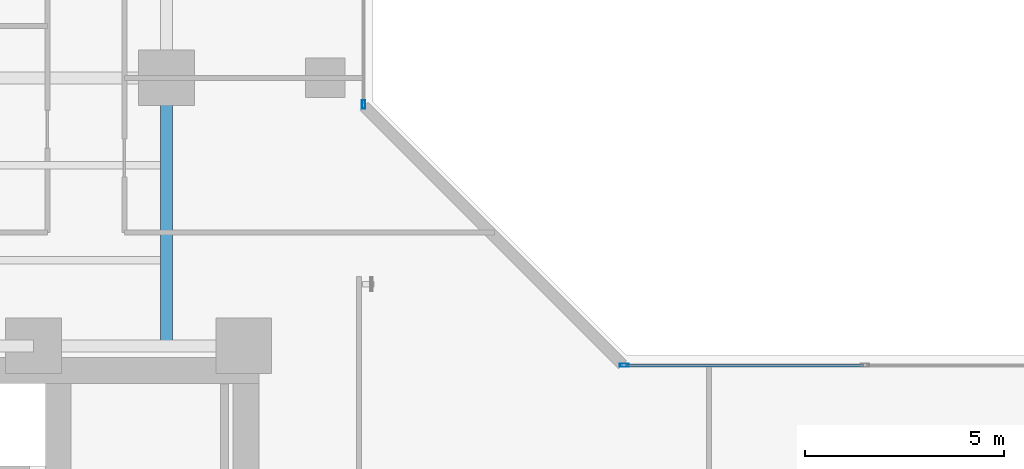
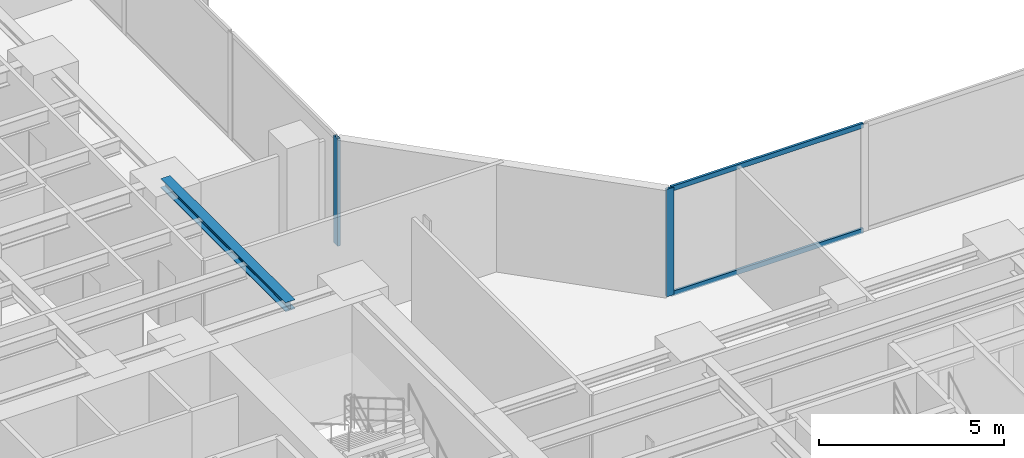
# One storey, part 10 of 26: 4 members, 1 beam, 2 elements without a shape of their own.
"""IFC4 building model written with IfcOpenShell, lengths in metres."""

from ifc_helpers import new_model, si_unit, direction, frame, origin, origin_with_axes, origin_2d, place, context, subcontext, project, spatial, hollow_rectangle, i_section, extrude, source, transform, mapped, material, layer, layer_set, material_profile, profile_set, type_object, element, aggregate, save


model = new_model("IFC4")

# Units and contexts
model_context = context("Model", 3, precision=1e-05, world=origin(), true_north=direction((0.0, 1.0)))
body_context = subcontext(model_context, "Body", "Model", "MODEL_VIEW")
ifc_project = project(units=[si_unit("LENGTHUNIT", "METRE"), si_unit("AREAUNIT", "SQUARE_METRE"), si_unit("VOLUMEUNIT", "CUBIC_METRE"), si_unit("PLANEANGLEUNIT", "RADIAN"), si_unit("MASSUNIT", "GRAM", prefix="KILO")], contexts=[model_context])

# Site, building, storey
site_placement = place(None, origin())
site = spatial("IfcSite", under=ifc_project, at=site_placement, CompositionType="ELEMENT")
building_placement = place(site_placement, origin())
building = spatial("IfcBuilding", under=site, at=building_placement, Name="Kolvaren Waterfront Exchange", CompositionType="ELEMENT")
storey_placement = place(building_placement, frame((0.0, 0.0, 99.300048828125)))
storey = spatial("IfcBuildingStorey", under=building, at=storey_placement, Name="L25", CompositionType="ELEMENT", Elevation=99.300048828125)

# Beam
ifc_material_1 = material(Name="Steel S355", Category="steel")
ifc_material_profile_1 = material_profile(ifc_material_1, i_section(OverallWidth=0.300048828125, OverallDepth=0.300048828125, WebThickness=0.010986328125, FlangeThickness=0.01904296875, FilletRadius=0.027099609375, at=origin_2d()), Name="HEB300")
ifc_profile_set_1 = profile_set([ifc_material_profile_1], Name="Steel S355")
beam_type = type_object("IfcBeamType", Name="STR-BM-HEB300", PredefinedType="SPANDREL", material=ifc_profile_set_1)
beam_placement = place(storey_placement, frame((18.800048828125, 24.449951171875, 3.389892578125), z_axis=(0.0, 1.0, 0.0), x_axis=(-1.0, 0.0, 0.0)))
element("IfcBeam", 1, at=beam_placement, inside=storey, type_object=beam_type, Name="L25 north-arm edge beam 1", PredefinedType="SPANDREL", context=body_context, shape_type="SweptSolid", body=[
    extrude(i_section(OverallWidth=0.300048828125, OverallDepth=0.300048828125, WebThickness=0.010986328125, FlangeThickness=0.01904296875, FilletRadius=0.027099609375, at=origin_2d()), origin(), (0.0, 0.0, 1.0), 6.75),
])

# Curtain wall, member
ifc_material_2 = material(Name="Anodised bronze aluminium 6063-T6", Category="aluminium")
ifc_layer = layer(ifc_material_2, 0.219970703125, Name="Anodised bronze aluminium 6063-T6")
ifc_layer_set = layer_set([ifc_layer], Name="Anodised bronze aluminium 6063-T6")
curtain_wall_type = type_object("IfcCurtainWallType", Name="ARC-CW-SYS1", PredefinedType="USERDEFINED", material=ifc_layer_set)
curtain_wall_1_placement = place(storey_placement, origin())
curtain_wall_1 = element("IfcCurtainWall", 2, at=curtain_wall_1_placement, inside=storey, type_object=curtain_wall_type, Name="L25 stick curtain wall CW1 (CW-L25-NE)", ObjectType="STICK CURTAIN WALL", PredefinedType="USERDEFINED")
ifc_material_3 = material(Name="Anodised aluminium 6063-T6", Category="aluminium")
ifc_material_profile_2 = material_profile(ifc_material_3, hollow_rectangle(XDim=0.080078125, YDim=0.219970703125, WallThickness=0.0048828125, at=origin_2d()), Name="ALU-MUL-220x80x5")
ifc_profile_set_2 = profile_set([ifc_material_profile_2], Name="Anodised aluminium 6063-T6")
member_type_1 = type_object("IfcMemberType", Name="ARC-CWM-220", PredefinedType="MULLION", material=ifc_profile_set_2)
shared_shape_1 = source(origin_with_axes(), body_context, "Body", "SweptSolid", [
    extrude(hollow_rectangle(XDim=0.080078125, YDim=0.219970703125, WallThickness=0.0048828125, at=origin_2d()), origin(), (0.0, 0.0, 1.0), 3.5400390625),
])
member_1_placement = place(storey_placement, frame((23.760009765625, 30.530029296875, 0.0), z_axis=(0.0, 0.0, 1.0), x_axis=(-1.0, 0.0, 0.0)))
member_1 = element("IfcMember", 3, at=member_1_placement, type_object=member_type_1, Name="CW1 mullion 1", PredefinedType="MULLION", context=body_context, shape_type="MappedRepresentation", body=[
    mapped(shared_shape_1, transform((0.0, 0.0, 0.0), x_axis=(1.0, 0.0, 0.0), y_axis=(0.0, 1.0, 0.0), z_axis=(0.0, 0.0, 1.0), scale=1.0)),
])
aggregate(curtain_wall_1, [member_1])

# Curtain wall, members
curtain_wall_2_placement = place(storey_placement, origin())
curtain_wall_2 = element("IfcCurtainWall", 4, at=curtain_wall_2_placement, inside=storey, type_object=curtain_wall_type, Name="L25 stick curtain wall CW1 (CW-L25-EN)", ObjectType="STICK CURTAIN WALL", PredefinedType="USERDEFINED")
member_2_placement = place(storey_placement, frame((30.330078125, 23.9599609375, 0.0), z_axis=(0.0, 0.0, 1.0), x_axis=(0.0, 1.0, 0.0)))
member_2 = element("IfcMember", 5, at=member_2_placement, type_object=member_type_1, Name="CW1 mullion 1", PredefinedType="MULLION", context=body_context, shape_type="MappedRepresentation", body=[
    mapped(shared_shape_1, transform((0.0, 0.0, 0.0), x_axis=(1.0, 0.0, 0.0), y_axis=(0.0, 1.0, 0.0), z_axis=(0.0, 0.0, 1.0), scale=1.0)),
])
ifc_material_profile_3 = material_profile(ifc_material_3, hollow_rectangle(XDim=0.074951171875, YDim=0.159912109375, WallThickness=0.00439453125, at=origin_2d()), Name="ALU-TRN-160x75x4.5")
ifc_profile_set_3 = profile_set([ifc_material_profile_3], Name="Anodised aluminium 6063-T6")
member_type_2 = type_object("IfcMemberType", Name="ARC-CWT-160", PredefinedType="USERDEFINED", material=ifc_profile_set_3)
shared_shape_2 = source(origin_with_axes(), body_context, "Body", "SweptSolid", [
    extrude(hollow_rectangle(XDim=0.074951171875, YDim=0.159912109375, WallThickness=0.00439453125, at=origin_2d()), origin(), (0.0, 0.0, 1.0), 5.982421875),
])
member_3_placement = place(storey_placement, frame((30.3701171875, 23.9599609375, 0.037353515625), z_axis=(1.0, 0.0, 0.0), x_axis=(0.0, 1.0, 0.0)))
member_3 = element("IfcMember", 6, at=member_3_placement, type_object=member_type_2, Name="CW1 transom 1.1", ObjectType="TRANSOM", PredefinedType="USERDEFINED", context=body_context, shape_type="MappedRepresentation", body=[
    mapped(shared_shape_2, transform((0.0, 0.0, 0.0), x_axis=(1.0, 0.0, 0.0), y_axis=(0.0, 1.0, 0.0), z_axis=(0.0, 0.0, 1.0), scale=1.0)),
])
member_4_placement = place(storey_placement, frame((30.3701171875, 23.9599609375, 3.50244140625), z_axis=(1.0, 0.0, 0.0), x_axis=(0.0, 1.0, 0.0)))
member_4 = element("IfcMember", 7, at=member_4_placement, type_object=member_type_2, Name="CW1 transom 1.2", ObjectType="TRANSOM", PredefinedType="USERDEFINED", context=body_context, shape_type="MappedRepresentation", body=[
    mapped(shared_shape_2, transform((0.0, 0.0, 0.0), x_axis=(1.0, 0.0, 0.0), y_axis=(0.0, 1.0, 0.0), z_axis=(0.0, 0.0, 1.0), scale=1.0)),
])
aggregate(curtain_wall_2, [member_2, member_3, member_4])

save(model, "model.ifc")
